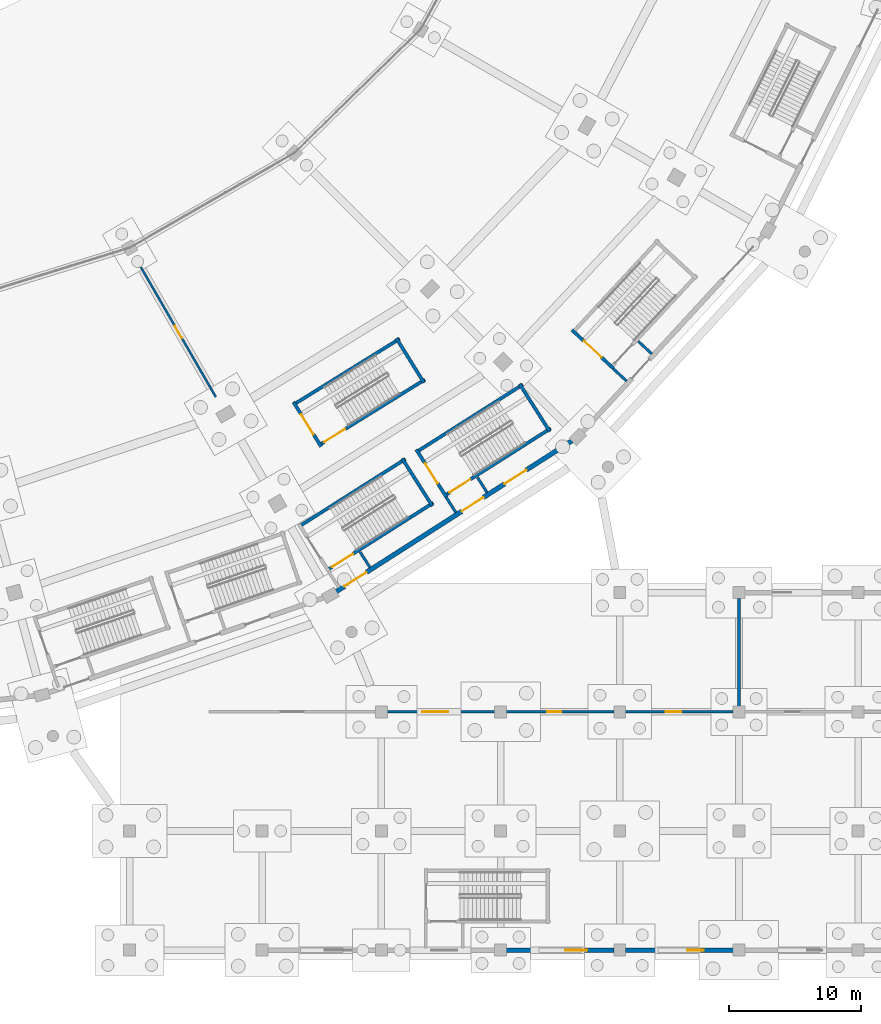
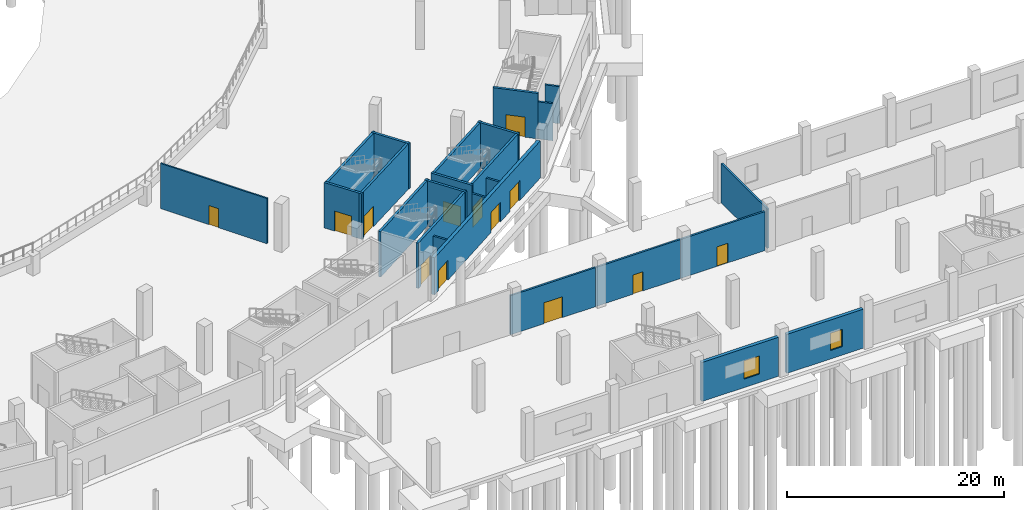
# One storey, part 37 of 103: 25 walls, 13 doors, 2 windows, 15 openings.
"""IFC4 building model written with IfcOpenShell, lengths in metres."""

from ifc_helpers import new_model, si_unit, direction, frame, frame_2d, origin, place, context, subcontext, project, spatial, rectangle, extrude, material, layer, layer_set, type_object, element, fill, save


model = new_model("IFC4")

# Units and contexts
model_context = context("Model", 3, precision=1e-05, world=origin(), true_north=direction((0.0, 1.0)))
body_context = subcontext(model_context, "Body", "Model", "MODEL_VIEW")
ifc_project = project(units=[si_unit("LENGTHUNIT", "METRE"), si_unit("AREAUNIT", "SQUARE_METRE"), si_unit("VOLUMEUNIT", "CUBIC_METRE"), si_unit("PLANEANGLEUNIT", "RADIAN"), si_unit("MASSUNIT", "GRAM", prefix="KILO")], contexts=[model_context])

# Site, building, storey
site_placement = place(None, origin())
site = spatial("IfcSite", under=ifc_project, at=site_placement, CompositionType="ELEMENT")
building_placement = place(site_placement, origin())
building = spatial("IfcBuilding", under=site, at=building_placement, Name="Zevraka Park Crest Stadium", CompositionType="ELEMENT")
storey_placement = place(building_placement, origin())
storey = spatial("IfcBuildingStorey", under=building, at=storey_placement, Name="L00", CompositionType="ELEMENT", Elevation=0.0)

# Wall, openings, doors
ifc_material_1 = material(Name="Limestone and red clay brick masonry", Category="masonry")
ifc_layer_1 = layer(ifc_material_1, 0.35009765625)
ifc_layer_set_1 = layer_set([ifc_layer_1], Name="Limestone and red clay brick masonry")
wall_type_1 = type_object("IfcWallType", Name="EW01", PredefinedType="STANDARD", material=ifc_layer_set_1)
wall_1_placement = place(storey_placement, frame((175.39892578125, 38.465087890625, 0.0), z_axis=(0.0, 0.0, 1.0), x_axis=(-0.842308733224, -0.538995359845, 0.0)))
wall_1 = element("IfcWall", 1, at=wall_1_placement, inside=storey, type_object=wall_type_1, Name="L00 Pointed-Arch Colonnade Wall EW01 20", PredefinedType="STANDARD", context=body_context, shape_type="SweptSolid", body=[
    extrude(rectangle(XDim=21.139404296875, YDim=0.35009765625, at=frame_2d((10.56982421875, 0.0))), origin(), (0.0, 0.0, 1.0), 4.1650390625),
])
opening_1_placement = place(wall_1_placement, frame((18.43408203125, 0.0, 0.0)))
opening_1 = element("IfcOpeningElement", 2, at=opening_1_placement, cuts=wall_1, Name="Opening D-L00-EX-ST21", PredefinedType="OPENING", context=body_context, shape_type="SweptSolid", body=[
    extrude(rectangle(XDim=1.949951171875, YDim=2.25, at=frame_2d((0.97509765625, 1.125))), frame((0.0, 0.18505859375, 0.0), z_axis=(0.0, -1.0, 0.0), x_axis=(1.0, 0.0, 0.0)), (0.0, 0.0, 1.0), 0.3701171875),
])
opening_2_placement = place(wall_1_placement, frame((7.93505859375, 0.0, 0.0)))
opening_2 = element("IfcOpeningElement", 3, at=opening_2_placement, cuts=wall_1, Name="Opening D-L00-EX-ST32", PredefinedType="OPENING", context=body_context, shape_type="SweptSolid", body=[
    extrude(rectangle(XDim=1.949951171875, YDim=2.25, at=frame_2d((0.97509765625, 1.125))), frame((0.0, 0.18505859375, 0.0), z_axis=(0.0, -1.0, 0.0), x_axis=(1.0, 0.0, 0.0)), (0.0, 0.0, 1.0), 0.3701171875),
])
opening_3_placement = place(wall_1_placement, frame((4.097900390625, 0.0, 0.0)))
opening_3 = element("IfcOpeningElement", 4, at=opening_3_placement, cuts=wall_1, Name="Opening D-L00-E21", PredefinedType="OPENING", context=body_context, shape_type="SweptSolid", body=[
    extrude(rectangle(XDim=1.949951171875, YDim=2.25, at=frame_2d((0.97509765625, 1.125))), frame((0.0, 0.18505859375, 0.0), z_axis=(0.0, -1.0, 0.0), x_axis=(1.0, 0.0, 0.0)), (0.0, 0.0, 1.0), 0.3701171875),
])
ifc_material_2 = material(Name="Thermally broken architectural aluminium and safety glass", Category="aluminium")
door_type_1 = type_object("IfcDoorType", Name="ED05", OperationType="NOTDEFINED", PredefinedType="DOOR", material=ifc_material_2)
door_1_placement = place(opening_1_placement, origin())
door_1 = element("IfcDoor", 5, at=door_1_placement, inside=storey, type_object=door_type_1, Name="Stair Final Exit Discharge Door D-L00-EX-ST21", OperationType="DOUBLE_DOOR_SINGLE_SWING", OverallHeight=2.25, OverallWidth=1.949951171875, PredefinedType="DOOR", context=body_context, shape_type="SweptSolid", body=[
    extrude(rectangle(XDim=1.949951171875, YDim=2.25, at=frame_2d((0.97509765625, 1.125))), frame((0.0, 0.02490234375, 0.0), z_axis=(0.0, -1.0, 0.0), x_axis=(1.0, 0.0, 0.0)), (0.0, 0.0, 1.0), 0.050048828125),
])
fill(opening_1, door_1)
door_2_placement = place(opening_2_placement, origin())
door_2 = element("IfcDoor", 6, at=door_2_placement, inside=storey, type_object=door_type_1, Name="Stair Final Exit Discharge Door D-L00-EX-ST32", OperationType="DOUBLE_DOOR_SINGLE_SWING", OverallHeight=2.25, OverallWidth=1.949951171875, PredefinedType="DOOR", context=body_context, shape_type="SweptSolid", body=[
    extrude(rectangle(XDim=1.949951171875, YDim=2.25, at=frame_2d((0.97509765625, 1.125))), frame((0.0, 0.02490234375, 0.0), z_axis=(0.0, -1.0, 0.0), x_axis=(1.0, 0.0, 0.0)), (0.0, 0.0, 1.0), 0.050048828125),
])
fill(opening_2, door_2)
door_3_placement = place(opening_3_placement, origin())
door_3 = element("IfcDoor", 7, at=door_3_placement, inside=storey, type_object=door_type_1, Name="Concourse Final Exit E21", OperationType="DOUBLE_DOOR_SINGLE_SWING", OverallHeight=2.25, OverallWidth=1.949951171875, PredefinedType="DOOR", context=body_context, shape_type="SweptSolid", body=[
    extrude(rectangle(XDim=1.949951171875, YDim=2.25, at=frame_2d((0.97509765625, 1.125))), frame((0.0, 0.02490234375, 0.0), z_axis=(0.0, -1.0, 0.0), x_axis=(1.0, 0.0, 0.0)), (0.0, 0.0, 1.0), 0.050048828125),
])
fill(opening_3, door_3)

# Wall, opening, window
wall_2_placement = place(storey_placement, frame((187.574951171875, 0.0, 0.0), z_axis=(0.0, 0.0, 1.0), x_axis=(-1.0, 0.0, 0.0)))
wall_2 = element("IfcWall", 8, at=wall_2_placement, inside=storey, type_object=wall_type_1, Name="Wing External Cavity Wall EW01 L00-SE-S1-5", PredefinedType="STANDARD", context=body_context, shape_type="SweptSolid", body=[
    extrude(rectangle(XDim=8.14990234375, YDim=0.35009765625, at=frame_2d((4.074951171875, 0.0))), origin(), (0.0, 0.0, 1.0), 4.383544921875),
])
opening_4_placement = place(wall_2_placement, frame((2.22705078125, 0.0, 0.949951171875)))
opening_4 = element("IfcOpeningElement", 9, at=opening_4_placement, cuts=wall_2, Name="Opening WN18", PredefinedType="OPENING", context=body_context, shape_type="SweptSolid", body=[
    extrude(rectangle(XDim=1.25, YDim=1.949951171875, at=frame_2d((0.625, 0.97509765625))), frame((0.0, 0.18505859375, 0.0), z_axis=(0.0, -1.0, 0.0), x_axis=(1.0, 0.0, 0.0)), (0.0, 0.0, 1.0), 0.3701171875),
])
ifc_material_3 = material(Name="Solar-control laminated double glazing in aluminium frame", Category="aluminium")
window_type_1 = type_object("IfcWindowType", Name="WN18", PartitioningType="SINGLE_PANEL", PredefinedType="WINDOW", material=ifc_material_3)
window_1_placement = place(opening_4_placement, origin())
window_1 = element("IfcWindow", 10, at=window_1_placement, inside=storey, type_object=window_type_1, Name="Facade Casement Window WN18 W-L00-100", OverallHeight=1.949951171875, OverallWidth=1.25, PartitioningType="SINGLE_PANEL", PredefinedType="WINDOW", context=body_context, shape_type="SweptSolid", body=[
    extrude(rectangle(XDim=1.25, YDim=1.949951171875, at=frame_2d((0.625, 0.97509765625))), frame((0.0, 0.030029296875, 0.0), z_axis=(0.0, -1.0, 0.0), x_axis=(1.0, 0.0, 0.0)), (0.0, 0.0, 1.0), 0.06005859375),
])
fill(opening_4, window_1)

wall_3_placement = place(storey_placement, frame((178.574951171875, 0.0, 0.0), z_axis=(0.0, 0.0, 1.0), x_axis=(-1.0, 0.0, 0.0)))
wall_3 = element("IfcWall", 11, at=wall_3_placement, inside=storey, type_object=wall_type_1, Name="Wing External Cavity Wall EW01 L00-SE-S1-6", PredefinedType="STANDARD", context=body_context, shape_type="SweptSolid", body=[
    extrude(rectangle(XDim=8.14990234375, YDim=0.35009765625, at=frame_2d((4.074951171875, 0.0))), origin(), (0.0, 0.0, 1.0), 4.383544921875),
])
opening_5_placement = place(wall_3_placement, frame((2.027099609375, 0.0, 0.949951171875)))
opening_5 = element("IfcOpeningElement", 12, at=opening_5_placement, cuts=wall_3, Name="Opening WN19", PredefinedType="OPENING", context=body_context, shape_type="SweptSolid", body=[
    extrude(rectangle(XDim=1.64990234375, YDim=2.050048828125, at=frame_2d((0.824951171875, 1.02490234375))), frame((0.0, 0.18505859375, 0.0), z_axis=(0.0, -1.0, 0.0), x_axis=(1.0, 0.0, 0.0)), (0.0, 0.0, 1.0), 0.3701171875),
])
ifc_material_4 = material(Name="Solar-control laminated double glazing in aluminium frame", Category="aluminium")
window_type_2 = type_object("IfcWindowType", Name="WN19", PartitioningType="SINGLE_PANEL", PredefinedType="WINDOW", material=ifc_material_4)
window_2_placement = place(opening_5_placement, origin())
window_2 = element("IfcWindow", 13, at=window_2_placement, inside=storey, type_object=window_type_2, Name="Facade Casement Window WN19 W-L00-101", OverallHeight=2.050048828125, OverallWidth=1.64990234375, PartitioningType="SINGLE_PANEL", PredefinedType="WINDOW", context=body_context, shape_type="SweptSolid", body=[
    extrude(rectangle(XDim=1.64990234375, YDim=2.050048828125, at=frame_2d((0.824951171875, 1.02490234375))), frame((0.0, 0.030029296875, 0.0), z_axis=(0.0, -1.0, 0.0), x_axis=(1.0, 0.0, 0.0)), (0.0, 0.0, 1.0), 0.06005859375),
])
fill(opening_5, window_2)

# Walls
ifc_material_5 = material(Name="Autoclaved aerated masonry blockwork", Category="masonry")
ifc_layer_2 = layer(ifc_material_5, 0.199951171875)
ifc_layer_set_2 = layer_set([ifc_layer_2], Name="Autoclaved aerated masonry blockwork")
wall_type_2 = type_object("IfcWallType", Name="IW01", PredefinedType="PARTITIONING", material=ifc_layer_set_2)
wall_4_placement = place(storey_placement, frame((159.392578125, 30.066650390625, 0.0), z_axis=(0.0, 0.0, 1.0), x_axis=(0.538885207577, -0.842379209771, 0.0)))
element("IfcWall", 14, at=wall_4_placement, inside=storey, type_object=wall_type_2, Name="Protected Exit Passageway Wall IW01 ST21-B", PredefinedType="PARTITIONING", context=body_context, shape_type="SweptSolid", body=[
    extrude(rectangle(XDim=1.398193359375, YDim=0.199951171875, at=frame_2d((0.69921875, 0.0))), origin(), (0.0, 0.0, 1.0), 4.1650390625),
])
wall_5_placement = place(storey_placement, frame((178.498291015625, 43.909912109375, 0.0), z_axis=(0.0, 0.0, 1.0), x_axis=(0.73594853595, -0.677037482296, 0.0)))
element("IfcWall", 15, at=wall_5_placement, inside=storey, type_object=wall_type_2, Name="Protected Exit Passageway Wall IW01 ST22-A", PredefinedType="PARTITIONING", context=body_context, shape_type="SweptSolid", body=[
    extrude(rectangle(XDim=1.388427734375, YDim=0.199951171875, at=frame_2d((0.6943359375, 0.0))), origin(), (0.0, 0.0, 1.0), 4.1650390625),
])
wall_6_placement = place(storey_placement, frame((180.40283203125, 45.96240234375, 0.0), z_axis=(0.0, 0.0, 1.0), x_axis=(0.735842657053, -0.677152555973, 0.0)))
element("IfcWall", 16, at=wall_6_placement, inside=storey, type_object=wall_type_2, Name="Protected Exit Passageway Wall IW01 ST22-B", PredefinedType="PARTITIONING", context=body_context, shape_type="SweptSolid", body=[
    extrude(rectangle(XDim=1.376953125, YDim=0.199951171875, at=frame_2d((0.6884765625, 0.0))), origin(), (0.0, 0.0, 1.0), 4.1650390625),
])
wall_7_placement = place(storey_placement, frame((165.894287109375, 34.191650390625, 0.0), z_axis=(0.0, 0.0, 1.0), x_axis=(0.539124568491, -0.842226038335, 0.0)))
element("IfcWall", 17, at=wall_7_placement, inside=storey, type_object=wall_type_2, Name="Protected Exit Passageway Wall IW01 ST32-A", PredefinedType="PARTITIONING", context=body_context, shape_type="SweptSolid", body=[
    extrude(rectangle(XDim=1.368408203125, YDim=0.199951171875, at=frame_2d((0.68408203125, 0.0))), origin(), (0.0, 0.0, 1.0), 4.1650390625),
])
wall_8_placement = place(storey_placement, frame((168.258544921875, 35.691650390625, 0.0), z_axis=(0.0, 0.0, 1.0), x_axis=(0.538829120561, -0.842415087018, 0.0)))
element("IfcWall", 18, at=wall_8_placement, inside=storey, type_object=wall_type_2, Name="Protected Exit Passageway Wall IW01 ST32-B", PredefinedType="PARTITIONING", context=body_context, shape_type="SweptSolid", body=[
    extrude(rectangle(XDim=1.357421875, YDim=0.199951171875, at=frame_2d((0.6787109375, 0.0))), origin(), (0.0, 0.0, 1.0), 4.1650390625),
])

# Wall, opening, door
wall_9_placement = place(storey_placement, frame((160.550048828125, 18.0, 0.0), z_axis=(0.0, 0.0, 1.0), x_axis=(1.0, 0.0, 0.0)))
wall_9 = element("IfcWall", 19, at=wall_9_placement, inside=storey, type_object=wall_type_2, Name="Interior Partition IW01 Central Chiller and Pump Plant Room L00", PredefinedType="PARTITIONING", context=body_context, shape_type="SweptSolid", body=[
    extrude(rectangle(XDim=9.014892578125, YDim=0.199951171875, at=frame_2d((4.50732421875, 0.0))), origin(), (0.0, 0.0, 1.0), 4.383544921875),
])
opening_6_placement = place(wall_9_placement, frame((3.531982421875, 0.0, 0.0)))
opening_6 = element("IfcOpeningElement", 20, at=opening_6_placement, cuts=wall_9, Name="Opening D-L00-370", PredefinedType="OPENING", context=body_context, shape_type="SweptSolid", body=[
    extrude(rectangle(XDim=1.949951171875, YDim=2.35009765625, at=frame_2d((0.97509765625, 1.175048828125))), frame((0.0, 0.10986328125, 0.0), z_axis=(0.0, -1.0, 0.0), x_axis=(1.0, 0.0, 0.0)), (0.0, 0.0, 1.0), 0.219970703125),
])
ifc_material_6 = material(Name="Solid-core hardwood timber leaf in steel frame", Category="steel")
door_type_2 = type_object("IfcDoorType", Name="DR28", OperationType="NOTDEFINED", PredefinedType="DOOR", material=ifc_material_6)
door_4_placement = place(opening_6_placement, origin())
door_4 = element("IfcDoor", 21, at=door_4_placement, inside=storey, type_object=door_type_2, Name="Central Chiller and Pump Plant Room Door D-L00-370", OperationType="DOUBLE_DOOR_SINGLE_SWING", OverallHeight=2.35009765625, OverallWidth=1.949951171875, PredefinedType="DOOR", context=body_context, shape_type="SweptSolid", body=[
    extrude(rectangle(XDim=1.949951171875, YDim=2.35009765625, at=frame_2d((0.97509765625, 1.175048828125))), frame((0.0, 0.02490234375, 0.0), z_axis=(0.0, -1.0, 0.0), x_axis=(1.0, 0.0, 0.0)), (0.0, 0.0, 1.0), 0.050048828125),
])
fill(opening_6, door_4)

wall_10_placement = place(storey_placement, frame((169.550048828125, 18.0, 0.0), z_axis=(0.0, 0.0, 1.0), x_axis=(1.0, 0.0, 0.0)))
wall_10 = element("IfcWall", 22, at=wall_10_placement, inside=storey, type_object=wall_type_2, Name="Interior Partition IW01 Central Chiller and Pump Plant Room L00", PredefinedType="PARTITIONING", context=body_context, shape_type="SweptSolid", body=[
    extrude(rectangle(XDim=9.014892578125, YDim=0.199951171875, at=frame_2d((4.50732421875, 0.0))), origin(), (0.0, 0.0, 1.0), 4.383544921875),
])
opening_7_placement = place(wall_10_placement, frame((3.98193359375, 0.0, 0.0)))
opening_7 = element("IfcOpeningElement", 23, at=opening_7_placement, cuts=wall_10, Name="Opening D-L00-371", PredefinedType="OPENING", context=body_context, shape_type="SweptSolid", body=[
    extrude(rectangle(XDim=1.050048828125, YDim=2.14990234375, at=frame_2d((0.52490234375, 1.074951171875))), frame((0.0, 0.10986328125, 0.0), z_axis=(0.0, -1.0, 0.0), x_axis=(1.0, 0.0, 0.0)), (0.0, 0.0, 1.0), 0.219970703125),
])
ifc_material_7 = material(Name="Solid-core hardwood timber leaf in steel frame", Category="steel")
door_type_3 = type_object("IfcDoorType", Name="DR02", OperationType="NOTDEFINED", PredefinedType="DOOR", material=ifc_material_7)
door_5_placement = place(opening_7_placement, origin())
door_5 = element("IfcDoor", 24, at=door_5_placement, inside=storey, type_object=door_type_3, Name="Central Chiller and Pump Plant Room Door D-L00-371", OperationType="SINGLE_SWING_RIGHT", OverallHeight=2.14990234375, OverallWidth=1.050048828125, PredefinedType="DOOR", context=body_context, shape_type="SweptSolid", body=[
    extrude(rectangle(XDim=1.050048828125, YDim=2.14990234375, at=frame_2d((0.52490234375, 1.074951171875))), frame((0.0, 0.02490234375, 0.0), z_axis=(0.0, -1.0, 0.0), x_axis=(1.0, 0.0, 0.0)), (0.0, 0.0, 1.0), 0.050048828125),
])
fill(opening_7, door_5)

wall_11_placement = place(storey_placement, frame((178.550048828125, 18.0, 0.0), z_axis=(0.0, 0.0, 1.0), x_axis=(1.0, 0.0, 0.0)))
wall_11 = element("IfcWall", 25, at=wall_11_placement, inside=storey, type_object=wall_type_2, Name="Interior Partition IW01 Central Chiller and Pump Plant Room L00", PredefinedType="PARTITIONING", context=body_context, shape_type="SweptSolid", body=[
    extrude(rectangle(XDim=9.014892578125, YDim=0.199951171875, at=frame_2d((4.50732421875, 0.0))), origin(), (0.0, 0.0, 1.0), 4.383544921875),
])
opening_8_placement = place(wall_11_placement, frame((3.931884765625, 0.0, 0.0)))
opening_8 = element("IfcOpeningElement", 26, at=opening_8_placement, cuts=wall_11, Name="Opening D-L00-372", PredefinedType="OPENING", context=body_context, shape_type="SweptSolid", body=[
    extrude(rectangle(XDim=1.14990234375, YDim=2.199951171875, at=frame_2d((0.574951171875, 1.10009765625))), frame((0.0, 0.10986328125, 0.0), z_axis=(0.0, -1.0, 0.0), x_axis=(1.0, 0.0, 0.0)), (0.0, 0.0, 1.0), 0.219970703125),
])
ifc_material_8 = material(Name="Solid-core hardwood timber leaf in steel frame", Category="steel")
door_type_4 = type_object("IfcDoorType", Name="DR03", OperationType="NOTDEFINED", PredefinedType="DOOR", material=ifc_material_8)
door_6_placement = place(opening_8_placement, origin())
door_6 = element("IfcDoor", 27, at=door_6_placement, inside=storey, type_object=door_type_4, Name="Central Chiller and Pump Plant Room Door D-L00-372", OperationType="SINGLE_SWING_LEFT", OverallHeight=2.199951171875, OverallWidth=1.14990234375, PredefinedType="DOOR", context=body_context, shape_type="SweptSolid", body=[
    extrude(rectangle(XDim=1.14990234375, YDim=2.199951171875, at=frame_2d((0.574951171875, 1.10009765625))), frame((0.0, 0.02490234375, 0.0), z_axis=(0.0, -1.0, 0.0), x_axis=(1.0, 0.0, 0.0)), (0.0, 0.0, 1.0), 0.050048828125),
])
fill(opening_8, door_6)

# Wall
wall_12_placement = place(storey_placement, frame((188.0, 18.0849609375, 0.0), z_axis=(0.0, 0.0, 1.0), x_axis=(0.0, 1.0, 0.0)))
element("IfcWall", 28, at=wall_12_placement, inside=storey, type_object=wall_type_2, Name="Interior Partition IW01 Electrical Substation and Standby Power Plant Room L00", PredefinedType="PARTITIONING", context=body_context, shape_type="SweptSolid", body=[
    extrude(rectangle(XDim=8.47998046875, YDim=0.199951171875, at=frame_2d((4.239990234375, 0.0))), origin(), (0.0, 0.0, 1.0), 4.4169921875),
])

# Wall, opening, door
ifc_material_9 = material(Name="Fire-rated twin-stud acoustic drywall", Category="other")
ifc_layer_3 = layer(ifc_material_9, 0.159912109375)
ifc_layer_set_3 = layer_set([ifc_layer_3], Name="Fire-rated twin-stud acoustic drywall")
wall_type_3 = type_object("IfcWallType", Name="IW02", PredefinedType="PARTITIONING", material=ifc_layer_set_3)
wall_13_placement = place(storey_placement, frame((142.85009765625, 51.556884765625, 0.0), z_axis=(0.0, 0.0, 1.0), x_axis=(0.500001120693, -0.866024756751, 0.0)))
wall_13 = element("IfcWall", 29, at=wall_13_placement, inside=storey, type_object=wall_type_3, Name="Interior Partition IW02 Pitch Equipment and Turf Maintenance Store L00", PredefinedType="PARTITIONING", context=body_context, shape_type="SweptSolid", body=[
    extrude(rectangle(XDim=11.2998046875, YDim=0.159912109375, at=frame_2d((5.64990234375, 0.0))), origin(), (0.0, 0.0, 1.0), 5.080078125),
])
opening_9_placement = place(wall_13_placement, frame((5.125, 0.0, 0.0)))
opening_9 = element("IfcOpeningElement", 30, at=opening_9_placement, cuts=wall_13, Name="Opening D-L00-355", PredefinedType="OPENING", context=body_context, shape_type="SweptSolid", body=[
    extrude(rectangle(XDim=1.050048828125, YDim=2.14990234375, at=frame_2d((0.52490234375, 1.074951171875))), frame((0.0, 0.08984375, 0.0), z_axis=(0.0, -1.0, 0.0), x_axis=(1.0, 0.0, 0.0)), (0.0, 0.0, 1.0), 0.179931640625),
])
door_7_placement = place(opening_9_placement, origin())
door_7 = element("IfcDoor", 31, at=door_7_placement, inside=storey, type_object=door_type_3, Name="Pitch Equipment and Turf Maintenance Store Door D-L00-355", OperationType="SINGLE_SWING_LEFT", OverallHeight=2.14990234375, OverallWidth=1.050048828125, PredefinedType="DOOR", context=body_context, shape_type="SweptSolid", body=[
    extrude(rectangle(XDim=1.050048828125, YDim=2.14990234375, at=frame_2d((0.52490234375, 1.074951171875))), frame((0.0, 0.02490234375, 0.0), z_axis=(0.0, -1.0, 0.0), x_axis=(1.0, 0.0, 0.0)), (0.0, 0.0, 1.0), 0.050048828125),
])
fill(opening_9, door_7)

ifc_material_10 = material(Name="Concrete C40/50", Category="concrete")
ifc_layer_4 = layer(ifc_material_10, 0.25)
ifc_layer_set_4 = layer_set([ifc_layer_4], Name="Concrete C40/50")
wall_type_4 = type_object("IfcWallType", Name="SW01", PredefinedType="SHEAR", material=ifc_layer_set_4)
wall_14_placement = place(storey_placement, frame((164.916748046875, 33.772705078125, 0.0), z_axis=(0.0, 0.0, 1.0), x_axis=(-0.844391246241, -0.535727004427, 0.0)))
wall_14 = element("IfcWall", 32, at=wall_14_placement, inside=storey, type_object=wall_type_4, Name="Stair Core Shear Wall SW01 ST21 L00 left", PredefinedType="SHEAR", context=body_context, shape_type="SweptSolid", body=[
    extrude(rectangle(XDim=9.550048828125, YDim=0.25, at=frame_2d((4.77490234375, 0.0))), origin(), (0.0, 0.0, 1.0), 5.10009765625),
])
opening_10_placement = place(wall_14_placement, frame((7.18994140625, 0.0, 0.0)))
opening_10 = element("IfcOpeningElement", 33, at=opening_10_placement, cuts=wall_14, Name="Opening D-L00-124", PredefinedType="OPENING", context=body_context, shape_type="SweptSolid", body=[
    extrude(rectangle(XDim=1.85009765625, YDim=2.300048828125, at=frame_2d((0.925048828125, 1.14990234375))), frame((0.0, 0.135009765625, 0.0), z_axis=(0.0, -1.0, 0.0), x_axis=(1.0, 0.0, 0.0)), (0.0, 0.0, 1.0), 0.27001953125),
])
ifc_material_11 = material(Name="Solid-core hardwood timber leaf in steel frame", Category="steel")
door_type_5 = type_object("IfcDoorType", Name="DR05", OperationType="NOTDEFINED", PredefinedType="DOOR", material=ifc_material_11)
door_8_placement = place(opening_10_placement, origin())
door_8 = element("IfcDoor", 34, at=door_8_placement, inside=storey, type_object=door_type_5, Name="Stair Exit Discharge Door ST21", OperationType="DOUBLE_DOOR_SINGLE_SWING", OverallHeight=2.300048828125, OverallWidth=1.85009765625, PredefinedType="DOOR", context=body_context, shape_type="SweptSolid", body=[
    extrude(rectangle(XDim=1.85009765625, YDim=2.300048828125, at=frame_2d((0.925048828125, 1.14990234375))), frame((0.0, 0.02490234375, 0.0), z_axis=(0.0, -1.0, 0.0), x_axis=(1.0, 0.0, 0.0)), (0.0, 0.0, 1.0), 0.050048828125),
])
fill(opening_10, door_8)

# Walls
wall_15_placement = place(storey_placement, frame((162.816650390625, 37.082763671875, 0.0), z_axis=(0.0, 0.0, 1.0), x_axis=(-0.844391246241, -0.535727004427, 0.0)))
element("IfcWall", 35, at=wall_15_placement, inside=storey, type_object=wall_type_4, Name="Stair Core Shear Wall SW01 ST21 L00 right", PredefinedType="SHEAR", context=body_context, shape_type="SweptSolid", body=[
    extrude(rectangle(XDim=9.550048828125, YDim=0.25, at=frame_2d((4.77490234375, 0.0))), origin(), (0.0, 0.0, 1.0), 5.10009765625),
])
wall_16_placement = place(storey_placement, frame((164.8515625, 33.530029296875, 0.0), z_axis=(0.0, 0.0, 1.0), x_axis=(-0.53572544074, 0.844392238325, 0.0)))
element("IfcWall", 36, at=wall_16_placement, inside=storey, type_object=wall_type_4, Name="Stair Core Shear Wall SW01 ST21 L00 far", PredefinedType="SHEAR", context=body_context, shape_type="SweptSolid", body=[
    extrude(rectangle(XDim=4.260009765625, YDim=0.25, at=frame_2d((2.1298828125, 0.0))), origin(), (0.0, 0.0, 1.0), 5.10009765625),
])

# Wall, opening, door
wall_17_placement = place(storey_placement, frame((175.392822265625, 46.826171875, 0.0), z_axis=(0.0, 0.0, 1.0), x_axis=(0.73295064559, -0.680281817433, 0.0)))
wall_17 = element("IfcWall", 37, at=wall_17_placement, inside=storey, type_object=wall_type_4, Name="Stair Core Shear Wall SW01 ST22 L00 near", PredefinedType="SHEAR", context=body_context, shape_type="SweptSolid", body=[
    extrude(rectangle(XDim=4.260009765625, YDim=0.25, at=frame_2d((2.1298828125, 0.0))), origin(), (0.0, 0.0, 1.0), 5.10009765625),
])
opening_11_placement = place(wall_17_placement, frame((1.22998046875, 0.0, 0.0)))
opening_11 = element("IfcOpeningElement", 38, at=opening_11_placement, cuts=wall_17, Name="Opening D-L00-129", PredefinedType="OPENING", context=body_context, shape_type="SweptSolid", body=[
    extrude(rectangle(XDim=1.800048828125, YDim=2.25, at=frame_2d((0.89990234375, 1.125))), frame((0.0, 0.135009765625, 0.0), z_axis=(0.0, -1.0, 0.0), x_axis=(1.0, 0.0, 0.0)), (0.0, 0.0, 1.0), 0.27001953125),
])
ifc_material_12 = material(Name="Solid-core hardwood timber leaf in steel frame", Category="steel")
door_type_6 = type_object("IfcDoorType", Name="DR04", OperationType="NOTDEFINED", PredefinedType="DOOR", material=ifc_material_12)
door_9_placement = place(opening_11_placement, origin())
door_9 = element("IfcDoor", 39, at=door_9_placement, inside=storey, type_object=door_type_6, Name="Protected Stair Entry Door ST22 L00", OperationType="DOUBLE_DOOR_SINGLE_SWING", OverallHeight=2.25, OverallWidth=1.800048828125, PredefinedType="DOOR", context=body_context, shape_type="SweptSolid", body=[
    extrude(rectangle(XDim=1.800048828125, YDim=2.25, at=frame_2d((0.89990234375, 1.125))), frame((0.0, 0.02490234375, 0.0), z_axis=(0.0, -1.0, 0.0), x_axis=(1.0, 0.0, 0.0)), (0.0, 0.0, 1.0), 0.050048828125),
])
fill(opening_11, door_9)

wall_18_placement = place(storey_placement, frame((173.78271484375, 39.397705078125, 0.0), z_axis=(0.0, 0.0, 1.0), x_axis=(-0.844391246241, -0.535727004427, 0.0)))
wall_18 = element("IfcWall", 40, at=wall_18_placement, inside=storey, type_object=wall_type_4, Name="Stair Core Shear Wall SW01 ST32 L00 left", PredefinedType="SHEAR", context=body_context, shape_type="SweptSolid", body=[
    extrude(rectangle(XDim=9.550048828125, YDim=0.25, at=frame_2d((4.77490234375, 0.0))), origin(), (0.0, 0.0, 1.0), 5.10009765625),
])
opening_12_placement = place(wall_18_placement, frame((7.18994140625, 0.0, 0.0)))
opening_12 = element("IfcOpeningElement", 41, at=opening_12_placement, cuts=wall_18, Name="Opening D-L00-181", PredefinedType="OPENING", context=body_context, shape_type="SweptSolid", body=[
    extrude(rectangle(XDim=1.85009765625, YDim=2.300048828125, at=frame_2d((0.925048828125, 1.14990234375))), frame((0.0, 0.135009765625, 0.0), z_axis=(0.0, -1.0, 0.0), x_axis=(1.0, 0.0, 0.0)), (0.0, 0.0, 1.0), 0.27001953125),
])
door_10_placement = place(opening_12_placement, origin())
door_10 = element("IfcDoor", 42, at=door_10_placement, inside=storey, type_object=door_type_5, Name="Stair Exit Discharge Door ST32", OperationType="DOUBLE_DOOR_SINGLE_SWING", OverallHeight=2.300048828125, OverallWidth=1.85009765625, PredefinedType="DOOR", context=body_context, shape_type="SweptSolid", body=[
    extrude(rectangle(XDim=1.85009765625, YDim=2.300048828125, at=frame_2d((0.925048828125, 1.14990234375))), frame((0.0, 0.02490234375, 0.0), z_axis=(0.0, -1.0, 0.0), x_axis=(1.0, 0.0, 0.0)), (0.0, 0.0, 1.0), 0.050048828125),
])
fill(opening_12, door_10)

# Wall
wall_19_placement = place(storey_placement, frame((171.6826171875, 42.707763671875, 0.0), z_axis=(0.0, 0.0, 1.0), x_axis=(-0.844391246241, -0.535727004427, 0.0)))
element("IfcWall", 43, at=wall_19_placement, inside=storey, type_object=wall_type_4, Name="Stair Core Shear Wall SW01 ST32 L00 right", PredefinedType="SHEAR", context=body_context, shape_type="SweptSolid", body=[
    extrude(rectangle(XDim=9.550048828125, YDim=0.25, at=frame_2d((4.77490234375, 0.0))), origin(), (0.0, 0.0, 1.0), 5.10009765625),
])

# Wall, opening, door
wall_20_placement = place(storey_placement, frame((163.63330078125, 37.802001953125, 0.0), z_axis=(0.0, 0.0, 1.0), x_axis=(0.535684577572, -0.844418162613, 0.0)))
wall_20 = element("IfcWall", 44, at=wall_20_placement, inside=storey, type_object=wall_type_4, Name="Stair Core Shear Wall SW01 ST32 L00 near", PredefinedType="SHEAR", context=body_context, shape_type="SweptSolid", body=[
    extrude(rectangle(XDim=4.260009765625, YDim=0.25, at=frame_2d((2.1298828125, 0.0))), origin(), (0.0, 0.0, 1.0), 5.10009765625),
])
opening_13_placement = place(wall_20_placement, frame((1.22998046875, 0.0, 0.0)))
opening_13 = element("IfcOpeningElement", 45, at=opening_13_placement, cuts=wall_20, Name="Opening D-L00-180", PredefinedType="OPENING", context=body_context, shape_type="SweptSolid", body=[
    extrude(rectangle(XDim=1.800048828125, YDim=2.25, at=frame_2d((0.89990234375, 1.125))), frame((0.0, 0.135009765625, 0.0), z_axis=(0.0, -1.0, 0.0), x_axis=(1.0, 0.0, 0.0)), (0.0, 0.0, 1.0), 0.27001953125),
])
door_11_placement = place(opening_13_placement, origin())
door_11 = element("IfcDoor", 46, at=door_11_placement, inside=storey, type_object=door_type_6, Name="Protected Stair Entry Door ST32 L00", OperationType="DOUBLE_DOOR_SINGLE_SWING", OverallHeight=2.25, OverallWidth=1.800048828125, PredefinedType="DOOR", context=body_context, shape_type="SweptSolid", body=[
    extrude(rectangle(XDim=1.800048828125, YDim=2.25, at=frame_2d((0.89990234375, 1.125))), frame((0.0, 0.02490234375, 0.0), z_axis=(0.0, -1.0, 0.0), x_axis=(1.0, 0.0, 0.0)), (0.0, 0.0, 1.0), 0.050048828125),
])
fill(opening_13, door_11)

# Wall
wall_21_placement = place(storey_placement, frame((173.717529296875, 39.155029296875, 0.0), z_axis=(0.0, 0.0, 1.0), x_axis=(-0.535684577572, 0.844418162613, 0.0)))
element("IfcWall", 47, at=wall_21_placement, inside=storey, type_object=wall_type_4, Name="Stair Core Shear Wall SW01 ST32 L00 far", PredefinedType="SHEAR", context=body_context, shape_type="SweptSolid", body=[
    extrude(rectangle(XDim=4.260009765625, YDim=0.25, at=frame_2d((2.1298828125, 0.0))), origin(), (0.0, 0.0, 1.0), 5.10009765625),
])

# Wall, opening, door
wall_22_placement = place(storey_placement, frame((164.287353515625, 43.083984375, 0.0), z_axis=(0.0, 0.0, 1.0), x_axis=(-0.849696444565, -0.527272180277, 0.0)))
wall_22 = element("IfcWall", 48, at=wall_22_placement, inside=storey, type_object=wall_type_4, Name="Stair Core Shear Wall SW01 ST43 L00 left", PredefinedType="SHEAR", context=body_context, shape_type="SweptSolid", body=[
    extrude(rectangle(XDim=9.449951171875, YDim=0.25, at=frame_2d((4.72509765625, 0.0))), origin(), (0.0, 0.0, 1.0), 5.10009765625),
])
opening_14_placement = place(wall_22_placement, frame((7.090087890625, 0.0, 0.0)))
opening_14 = element("IfcOpeningElement", 49, at=opening_14_placement, cuts=wall_22, Name="Opening D-L00-226", PredefinedType="OPENING", context=body_context, shape_type="SweptSolid", body=[
    extrude(rectangle(XDim=1.85009765625, YDim=2.300048828125, at=frame_2d((0.925048828125, 1.14990234375))), frame((0.0, 0.135009765625, 0.0), z_axis=(0.0, -1.0, 0.0), x_axis=(1.0, 0.0, 0.0)), (0.0, 0.0, 1.0), 0.27001953125),
])
door_12_placement = place(opening_14_placement, origin())
door_12 = element("IfcDoor", 50, at=door_12_placement, inside=storey, type_object=door_type_5, Name="Stair Exit Discharge Door ST43", OperationType="DOUBLE_DOOR_SINGLE_SWING", OverallHeight=2.300048828125, OverallWidth=1.85009765625, PredefinedType="DOOR", context=body_context, shape_type="SweptSolid", body=[
    extrude(rectangle(XDim=1.85009765625, YDim=2.300048828125, at=frame_2d((0.925048828125, 1.14990234375))), frame((0.0, 0.02490234375, 0.0), z_axis=(0.0, -1.0, 0.0), x_axis=(1.0, 0.0, 0.0)), (0.0, 0.0, 1.0), 0.050048828125),
])
fill(opening_14, door_12)

# Wall
wall_23_placement = place(storey_placement, frame((162.378662109375, 46.159912109375, 0.0), z_axis=(0.0, 0.0, 1.0), x_axis=(-0.849684869763, -0.527290832554, 0.0)))
element("IfcWall", 51, at=wall_23_placement, inside=storey, type_object=wall_type_4, Name="Stair Core Shear Wall SW01 ST43 L00 right", PredefinedType="SHEAR", context=body_context, shape_type="SweptSolid", body=[
    extrude(rectangle(XDim=9.449951171875, YDim=0.25, at=frame_2d((4.72509765625, 0.0))), origin(), (0.0, 0.0, 1.0), 5.10009765625),
])

# Wall, opening, door
wall_24_placement = place(storey_placement, frame((154.365478515625, 41.387451171875, 0.0), z_axis=(0.0, 0.0, 1.0), x_axis=(0.527303008499, -0.849677313589, 0.0)))
wall_24 = element("IfcWall", 52, at=wall_24_placement, inside=storey, type_object=wall_type_4, Name="Stair Core Shear Wall SW01 ST43 L00 near", PredefinedType="SHEAR", context=body_context, shape_type="SweptSolid", body=[
    extrude(rectangle(XDim=3.9599609375, YDim=0.25, at=frame_2d((1.97998046875, 0.0))), origin(), (0.0, 0.0, 1.0), 5.10009765625),
])
opening_15_placement = place(wall_24_placement, frame((1.080078125, 0.0, 0.0)))
opening_15 = element("IfcOpeningElement", 53, at=opening_15_placement, cuts=wall_24, Name="Opening D-L00-225", PredefinedType="OPENING", context=body_context, shape_type="SweptSolid", body=[
    extrude(rectangle(XDim=1.800048828125, YDim=2.25, at=frame_2d((0.89990234375, 1.125))), frame((0.0, 0.135009765625, 0.0), z_axis=(0.0, -1.0, 0.0), x_axis=(1.0, 0.0, 0.0)), (0.0, 0.0, 1.0), 0.27001953125),
])
door_13_placement = place(opening_15_placement, origin())
door_13 = element("IfcDoor", 54, at=door_13_placement, inside=storey, type_object=door_type_6, Name="Protected Stair Entry Door ST43 L00", OperationType="DOUBLE_DOOR_SINGLE_SWING", OverallHeight=2.25, OverallWidth=1.800048828125, PredefinedType="DOOR", context=body_context, shape_type="SweptSolid", body=[
    extrude(rectangle(XDim=1.800048828125, YDim=2.25, at=frame_2d((0.89990234375, 1.125))), frame((0.0, 0.02490234375, 0.0), z_axis=(0.0, -1.0, 0.0), x_axis=(1.0, 0.0, 0.0)), (0.0, 0.0, 1.0), 0.050048828125),
])
fill(opening_15, door_13)

# Wall
wall_25_placement = place(storey_placement, frame((164.2197265625, 42.842041015625, 0.0), z_axis=(0.0, 0.0, 1.0), x_axis=(-0.527258497125, 0.84970493538, 0.0)))
element("IfcWall", 55, at=wall_25_placement, inside=storey, type_object=wall_type_4, Name="Stair Core Shear Wall SW01 ST43 L00 far", PredefinedType="SHEAR", context=body_context, shape_type="SweptSolid", body=[
    extrude(rectangle(XDim=3.9599609375, YDim=0.25, at=frame_2d((1.97998046875, 0.0))), origin(), (0.0, 0.0, 1.0), 5.10009765625),
])

save(model, "model.ifc")
